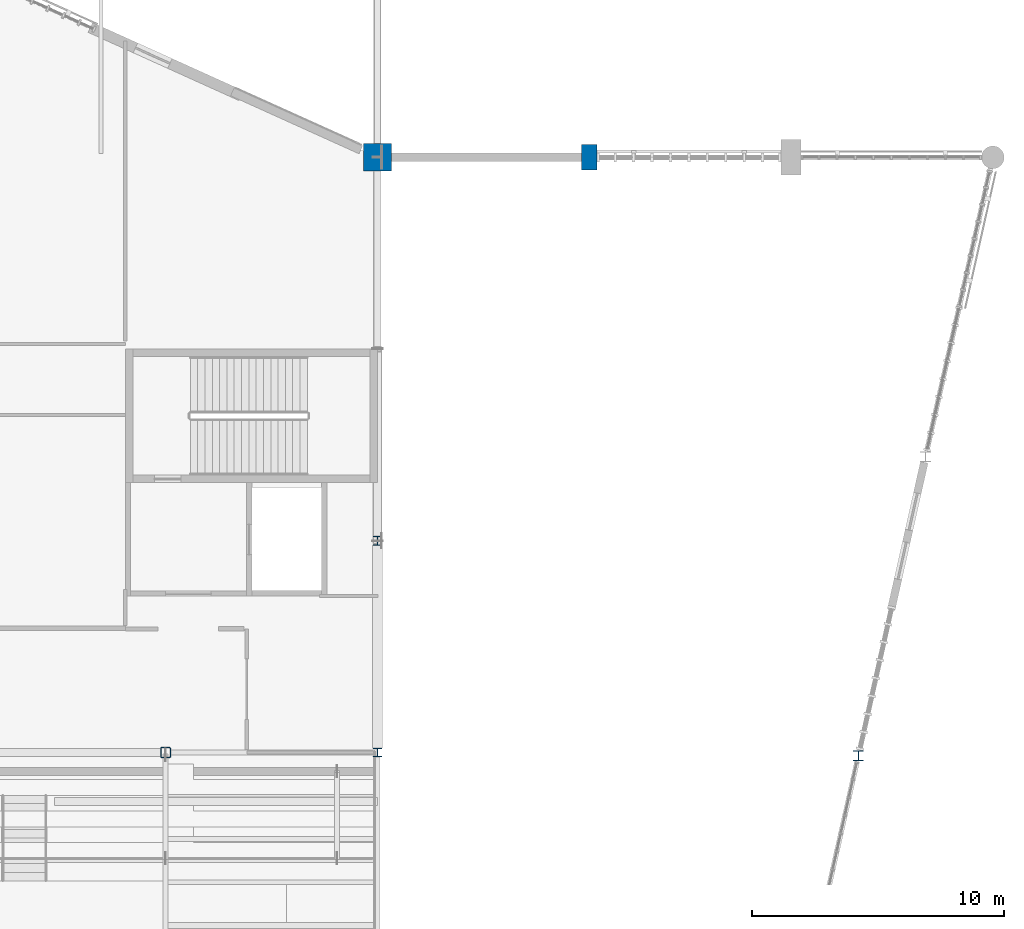
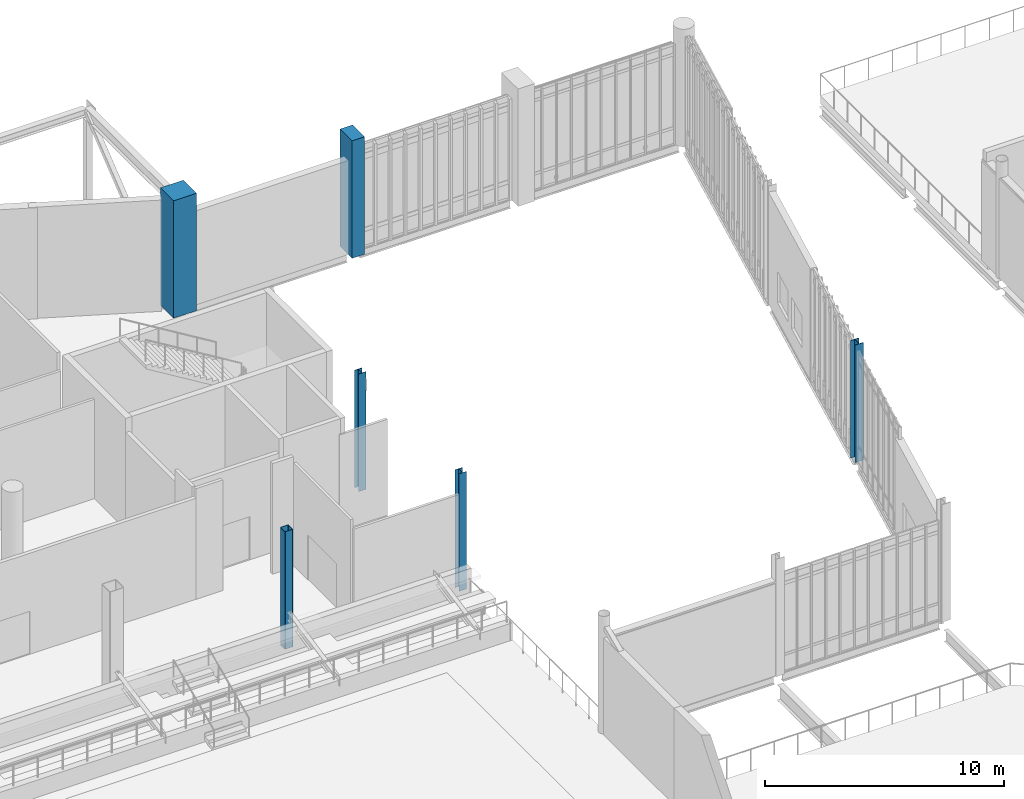
# One storey, part 6 of 135: 6 columns.
"""IFC4 building model written with IfcOpenShell, lengths in metres."""

import ifcopenshell
import ifcopenshell.guid

model = None  # the IFC model being written
_history = None  # IfcOwnerHistory: only IFC2X3 demands one
_inside = {}  # id of a spatial element -> (the spatial element, [elements in it])
_under = {}  # id of a project, library or spatial element -> (it, [spatial elements below it])
_declared = {}  # id of a project -> (the project, [libraries it declares])
_typed = {}  # id of a type object -> (the type object, [elements of that type])
_made_of = {}  # id of a material, layer set ... -> (it, [elements and type objects made of it])


def new_model(schema):
    """Start an empty IFC model of exactly this schema.

    Asked for "IFC4X3", IfcOpenShell would pick the latest addendum, in which some entities
    have other attributes; the version numbers below select the first issue.
    IFC2X3 requires an IfcOwnerHistory on every rooted entity: one is made here for all.
    """
    global model, _history
    if schema == "IFC4X3":
        model = ifcopenshell.file(schema_version=(4, 3, 0, 0))
    else:
        model = ifcopenshell.file(schema=schema)
    _inside.clear()
    _under.clear()
    _declared.clear()
    _typed.clear()
    _made_of.clear()
    _history = None
    if model.schema == "IFC2X3":
        org = make("IfcOrganization", Name="unknown")
        user = make(
            "IfcPersonAndOrganization",
            ThePerson=make("IfcPerson", FamilyName="unknown"),
            TheOrganization=org,
        )
        app = make(
            "IfcApplication",
            ApplicationDeveloper=org,
            Version="unknown",
            ApplicationFullName="unknown",
            ApplicationIdentifier="unknown",
        )
        _history = make(
            "IfcOwnerHistory",
            OwningUser=user,
            OwningApplication=app,
            ChangeAction="ADDED",
            CreationDate=0,
        )
    return model


def make(cls, **values):
    """One entity of the class cls with the attributes given. An attribute that is None is left unset."""
    return model.create_entity(
        cls, **{name: value for name, value in values.items() if value is not None}
    )


def rooted(cls, **values):
    """An entity with a GlobalId (a new one), such as an element, a storey or a relation."""
    return make(cls, GlobalId=ifcopenshell.guid.new(), OwnerHistory=_history, **values)


def si_unit(unit_type, name, prefix=None):
    """IfcSIUnit, for example si_unit("LENGTHUNIT", "METRE", prefix="MILLI")."""
    return make("IfcSIUnit", UnitType=unit_type, Prefix=prefix, Name=name)


def assignment(units):
    """IfcUnitAssignment: the units of a project."""
    return None if units is None else make("IfcUnitAssignment", Units=units)


def point(xyz):
    """IfcCartesianPoint."""
    return None if xyz is None else make("IfcCartesianPoint", Coordinates=xyz)


def direction(xyz):
    """IfcDirection."""
    return None if xyz is None else make("IfcDirection", DirectionRatios=xyz)


def frame(location, z_axis=None, x_axis=None):
    """IfcAxis2Placement3D, a coordinate frame: its origin and axes. An axis left out is left unset."""
    return make(
        "IfcAxis2Placement3D",
        Location=point(location),
        Axis=direction(z_axis),
        RefDirection=direction(x_axis),
    )


def frame_2d(location, x_axis=None):
    """IfcAxis2Placement2D, a coordinate frame in the plane: its origin and x axis."""
    return make(
        "IfcAxis2Placement2D", Location=point(location), RefDirection=direction(x_axis)
    )


def origin():
    """The frame at (0, 0, 0) with its axes left unset."""
    return frame((0.0, 0.0, 0.0))


def origin_2d():
    """The frame at (0, 0) in the plane with its x axis left unset."""
    return frame_2d((0.0, 0.0))


def place(relative_to, where):
    """IfcLocalPlacement: puts the frame where relative to a parent placement (None: the world)."""
    return make(
        "IfcLocalPlacement", PlacementRelTo=relative_to, RelativePlacement=where
    )


def context(
    kind, dimensions, precision=None, world=None, true_north=None, identifier=None
):
    """IfcGeometricRepresentationContext, for example the 3D "Model" context."""
    return make(
        "IfcGeometricRepresentationContext",
        ContextIdentifier=identifier,
        ContextType=kind,
        CoordinateSpaceDimension=dimensions,
        Precision=precision,
        WorldCoordinateSystem=world,
        TrueNorth=true_north,
    )


def subcontext(parent, identifier, kind, view, scale=None):
    """IfcGeometricRepresentationSubContext, for example "Body" below "Model"."""
    return make(
        "IfcGeometricRepresentationSubContext",
        ContextIdentifier=identifier,
        ContextType=kind,
        ParentContext=parent,
        TargetScale=scale,
        TargetView=view,
    )


def project(units=None, contexts=None):
    """IfcProject with its units and contexts."""
    return rooted(
        "IfcProject",
        Name="project",
        RepresentationContexts=contexts,
        UnitsInContext=assignment(units),
    )


def spatial(cls, under=None, at=None, **own):
    """A site, building, storey or space (cls), placed at a placement, below another one or the project."""
    s = rooted(cls, ObjectPlacement=at, **own)
    if under is not None:
        _under.setdefault(under.id(), (under, []))[1].append(s)
    return s


def profile(cls, at=None, kind="AREA", **sizes):
    """A parametric profile (cls). Its sizes go by their IFC names, for example OverallWidth=200.0."""
    return make(cls, ProfileType=kind, Position=at, **sizes)


def rectangle(**sizes):
    """IfcRectangleProfileDef."""
    return profile("IfcRectangleProfileDef", **sizes)


def hollow_rectangle(**sizes):
    """IfcRectangleHollowProfileDef."""
    return profile("IfcRectangleHollowProfileDef", **sizes)


def i_section(**sizes):
    """IfcIShapeProfileDef."""
    return profile("IfcIShapeProfileDef", **sizes)


def extrude(swept, where, along, depth):
    """IfcExtrudedAreaSolid: the profile swept, set in the frame where, extruded along a direction by depth."""
    return make(
        "IfcExtrudedAreaSolid",
        SweptArea=swept,
        Position=where,
        ExtrudedDirection=direction(along),
        Depth=depth,
    )


def shape(context_of_items, identifier, shape_type, items):
    """IfcShapeRepresentation: the items that make up one representation, for example the "Body"."""
    return make(
        "IfcShapeRepresentation",
        ContextOfItems=context_of_items,
        RepresentationIdentifier=identifier,
        RepresentationType=shape_type,
        Items=items,
    )


def material(Name=None, Category=None):
    """IfcMaterial."""
    return make("IfcMaterial", Name=Name, Category=Category)


def material_profile(
    of_material, cross_section, Name=None, Category=None, Priority=None
):
    """IfcMaterialProfile: a cross section and its material."""
    return make(
        "IfcMaterialProfile",
        Name=Name,
        Material=of_material,
        Profile=cross_section,
        Priority=Priority,
        Category=Category,
    )


def profile_set(profiles, Name=None, composite=None):
    """IfcMaterialProfileSet."""
    return make(
        "IfcMaterialProfileSet",
        Name=Name,
        MaterialProfiles=profiles,
        CompositeProfile=composite,
    )


def made_of(thing, what):
    """Note that an element or type object is made of a material, layer set ...; save() writes the relation."""
    if what is not None:
        _made_of.setdefault(what.id(), (what, []))[1].append(thing)
    return thing


def type_object(cls, material=None, **own):
    """A type object (cls), such as IfcWallType, which elements share."""
    return made_of(rooted(cls, **own), material)


def element(
    cls,
    number,
    at=None,
    inside=None,
    cuts=None,
    type_object=None,
    material=None,
    context=None,
    identifier="Body",
    shape_type=None,
    held_by="IfcProductDefinitionShape",
    body=None,
    shapes=None,
    **own,
):
    """One element of the class cls, such as IfcWall. Its Tag is "e" and its number.

    at: its placement. inside: the storey or other place that contains it. cuts: it is an
    opening in that element (IfcRelVoidsElement). A single representation is given by context,
    identifier, shape_type and body (its items); several are given by shapes. held_by: the class
    of the entity that holds the representations. save() writes the other relations.
    """
    e = rooted(cls, Tag="e%d" % number, ObjectPlacement=at, **own)
    if body is not None:
        shapes = [shape(context, identifier, shape_type, body)]
    if shapes is not None:
        e.Representation = make(held_by, Representations=shapes)
    if inside is not None:
        _inside.setdefault(inside.id(), (inside, []))[1].append(e)
    if cuts is not None:
        rooted(
            "IfcRelVoidsElement", RelatingBuildingElement=cuts, RelatedOpeningElement=e
        )
    if type_object is not None:
        _typed.setdefault(type_object.id(), (type_object, []))[1].append(e)
    return made_of(e, material)


def aggregate(whole, parts):
    """IfcRelAggregates: a whole, such as a stair, and the parts it consists of."""
    return rooted("IfcRelAggregates", RelatingObject=whole, RelatedObjects=parts)


def save(model, path):
    """Write the relations noted so far, then the file.

    IfcRelAggregates (storeys below a building ...), IfcRelContainedInSpatialStructure (elements
    in a storey), IfcRelDefinesByType, IfcRelAssociatesMaterial and IfcRelDeclares: one each for
    every whole, place, type object, material and project.
    """
    for whole, parts in _under.values():
        aggregate(whole, parts)
    for where, things in _inside.values():
        rooted(
            "IfcRelContainedInSpatialStructure",
            RelatedElements=things,
            RelatingStructure=where,
        )
    for kind, things in _typed.values():
        rooted("IfcRelDefinesByType", RelatedObjects=things, RelatingType=kind)
    for what, things in _made_of.values():
        rooted("IfcRelAssociatesMaterial", RelatedObjects=things, RelatingMaterial=what)
    for by, libraries in _declared.values():
        rooted("IfcRelDeclares", RelatingContext=by, RelatedDefinitions=libraries)
    model.write(path)


model = new_model("IFC4")

# Units and contexts
model_context = context("Model", 3, precision=1e-05, world=origin(), true_north=direction((0.0, 1.0)))
body_context = subcontext(model_context, "Body", "Model", "MODEL_VIEW")
ifc_project = project(units=[si_unit("LENGTHUNIT", "METRE"), si_unit("AREAUNIT", "SQUARE_METRE"), si_unit("VOLUMEUNIT", "CUBIC_METRE"), si_unit("PLANEANGLEUNIT", "RADIAN"), si_unit("MASSUNIT", "GRAM", prefix="KILO")], contexts=[model_context])

# Site, building, storey
site_placement = place(None, origin())
site = spatial("IfcSite", under=ifc_project, at=site_placement, CompositionType="ELEMENT")
building_placement = place(site_placement, origin())
building = spatial("IfcBuilding", under=site, at=building_placement, Name="Larkvane Passage Sports Hall", CompositionType="ELEMENT")
storey_placement = place(building_placement, frame((0.0, 0.0, 10.800048828125)))
storey = spatial("IfcBuildingStorey", under=building, at=storey_placement, Name="L02", CompositionType="ELEMENT", Elevation=10.800048828125)

# Columns
ifc_material_1 = material(Name="Concrete C50/60", Category="concrete")
ifc_material_profile_1 = material_profile(ifc_material_1, rectangle(XDim=1.10009765625, YDim=1.10009765625, at=origin_2d()), Name="RC-COL-1100x1100")
ifc_profile_set_1 = profile_set([ifc_material_profile_1], Name="Concrete C50/60")
column_type_1 = type_object("IfcColumnType", Name="COL-RC-1100", PredefinedType="COLUMN", material=ifc_profile_set_1)
column_1_placement = place(storey_placement, frame((93.60009765625, 99.199951171875, 0.0), z_axis=(0.0, 0.0, 1.0), x_axis=(1.0, 0.0, 0.0)))
element("IfcColumn", 1, at=column_1_placement, inside=storey, type_object=column_type_1, Name="Column 13/M L02", PredefinedType="COLUMN", context=body_context, shape_type="SweptSolid", body=[
    extrude(rectangle(XDim=1.10009765625, YDim=1.10009765625, at=origin_2d()), origin(), (0.0, 0.0, 1.0), 6.0),
])
ifc_material_2 = material(Name="Concrete C40/50", Category="concrete")
ifc_material_profile_2 = material_profile(ifc_material_2, rectangle(XDim=0.60009765625, YDim=1.0, at=origin_2d()), Name="RC-COL-600x1000")
ifc_profile_set_2 = profile_set([ifc_material_profile_2], Name="Concrete C40/50")
column_type_2 = type_object("IfcColumnType", Name="COL-RC-600x1000", PredefinedType="COLUMN", material=ifc_profile_set_2)
column_2_placement = place(storey_placement, frame((102.0, 99.199951171875, 0.0), z_axis=(0.0, 0.0, 1.0), x_axis=(1.0, 0.0, 0.0)))
element("IfcColumn", 2, at=column_2_placement, inside=storey, type_object=column_type_2, Name="Column 14/M L02", PredefinedType="COLUMN", context=body_context, shape_type="SweptSolid", body=[
    extrude(rectangle(XDim=0.60009765625, YDim=1.0, at=origin_2d()), origin(), (0.0, 0.0, 1.0), 6.0),
])
ifc_material_3 = material(Name="Steel S355JR", Category="steel")
ifc_material_profile_3 = material_profile(ifc_material_3, i_section(OverallWidth=0.35009765625, OverallDepth=0.35009765625, WebThickness=0.011962890625, FlangeThickness=0.01904296875, FilletRadius=0.012939453125, at=origin_2d()), Name="H-350x350x12x19")
ifc_profile_set_3 = profile_set([ifc_material_profile_3], Name="Steel S355JR")
column_type_3 = type_object("IfcColumnType", Name="COL-STL-H350", PredefinedType="COLUMN", material=ifc_profile_set_3)
for number, where, z_axis, x_axis, name in (
    (3, (93.60009765625, 75.60009765625, 0.0), (0.0, 0.0, 1.0), (1.0, 0.0, 0.0), "Column 13/J L02"),
    (4, (93.60009765625, 84.0, 0.0), (0.0, 0.0, 1.0), (1.0, 0.0, 0.0), "Column 13/K L02"),
):
    element("IfcColumn", number, at=place(storey_placement, frame(where, z_axis=z_axis, x_axis=x_axis)), inside=storey, type_object=column_type_3, Name=name, PredefinedType="COLUMN", context=body_context, shape_type="SweptSolid", body=[
        extrude(i_section(OverallWidth=0.35009765625, OverallDepth=0.35009765625, WebThickness=0.011962890625, FlangeThickness=0.01904296875, FilletRadius=0.012939453125, at=origin_2d()), origin(), (0.0, 0.0, 1.0), 6.0),
    ])
ifc_material_profile_4 = material_profile(ifc_material_3, i_section(OverallWidth=0.39990234375, OverallDepth=0.39990234375, WebThickness=0.012939453125, FlangeThickness=0.02099609375, FilletRadius=0.02197265625, at=origin_2d()), Name="H-400x400x13x21")
ifc_profile_set_4 = profile_set([ifc_material_profile_4], Name="Steel S355JR")
column_type_4 = type_object("IfcColumnType", Name="COL-STL-H400", PredefinedType="COLUMN", material=ifc_profile_set_4)
column_3_placement = place(storey_placement, frame((112.669921875, 75.469970703125, 0.0), z_axis=(0.0, 0.0, 1.0), x_axis=(1.0, 0.0, 0.0)))
element("IfcColumn", 5, at=column_3_placement, inside=storey, type_object=column_type_4, Name="Climbing hall east facade column V3E-1 L02", PredefinedType="COLUMN", context=body_context, shape_type="SweptSolid", body=[
    extrude(i_section(OverallWidth=0.39990234375, OverallDepth=0.39990234375, WebThickness=0.012939453125, FlangeThickness=0.02099609375, FilletRadius=0.02197265625, at=origin_2d()), origin(), (0.0, 0.0, 1.0), 6.0),
])
ifc_material_4 = material(Name="Steel S460N", Category="steel")
ifc_material_profile_5 = material_profile(ifc_material_4, hollow_rectangle(XDim=0.39990234375, YDim=0.39990234375, WallThickness=0.01904296875, InnerFilletRadius=0.01904296875, OuterFilletRadius=0.0380859375, at=origin_2d()), Name="SHS-400x400x19")
ifc_profile_set_5 = profile_set([ifc_material_profile_5], Name="Steel S460N")
column_type_5 = type_object("IfcColumnType", Name="COL-STL-SHS400", PredefinedType="COLUMN", material=ifc_profile_set_5)
column_4_placement = place(storey_placement, frame((85.199951171875, 75.60009765625, 0.0), z_axis=(0.0, 0.0, 1.0), x_axis=(1.0, 0.0, 0.0)))
element("IfcColumn", 6, at=column_4_placement, inside=storey, type_object=column_type_5, Name="Column 12/J L02", PredefinedType="COLUMN", context=body_context, shape_type="SweptSolid", body=[
    extrude(hollow_rectangle(XDim=0.39990234375, YDim=0.39990234375, WallThickness=0.01904296875, InnerFilletRadius=0.01904296875, OuterFilletRadius=0.0380859375, at=origin_2d()), origin(), (0.0, 0.0, 1.0), 6.0),
])

save(model, "model.ifc")
